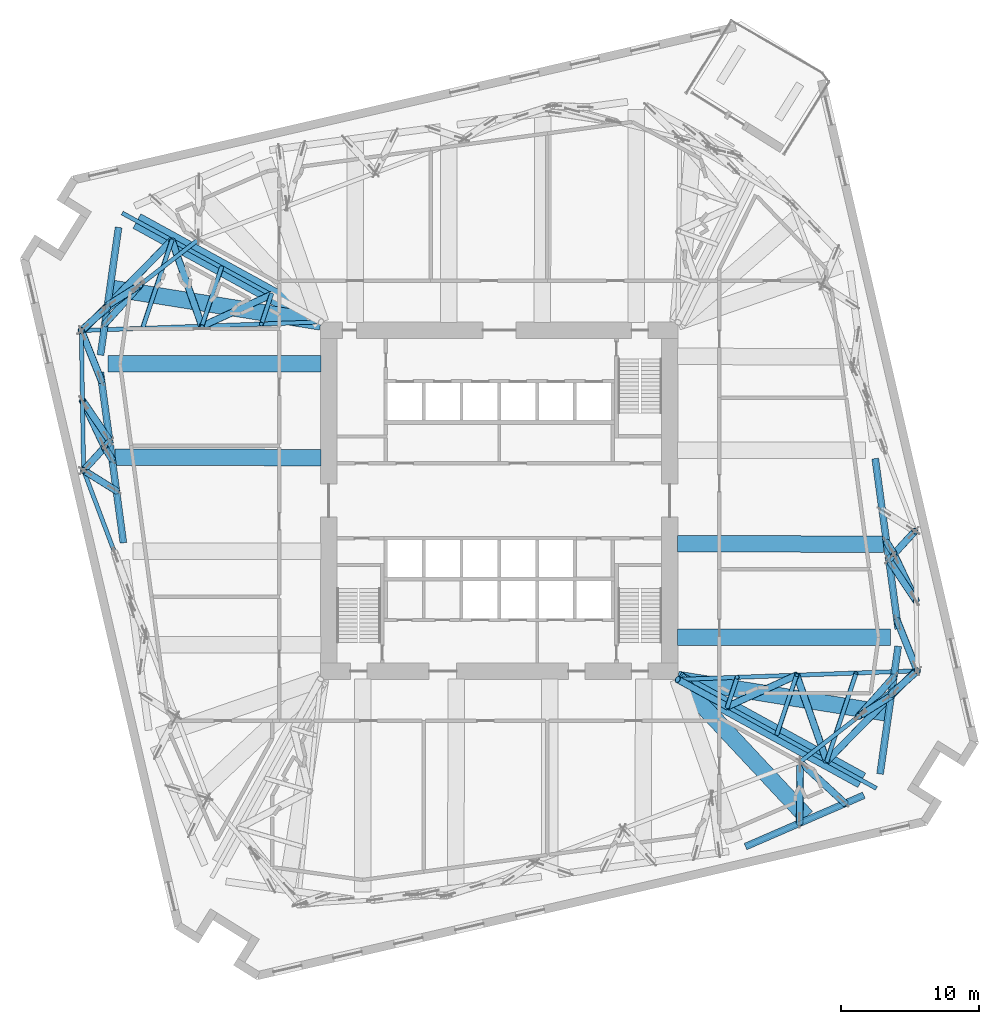
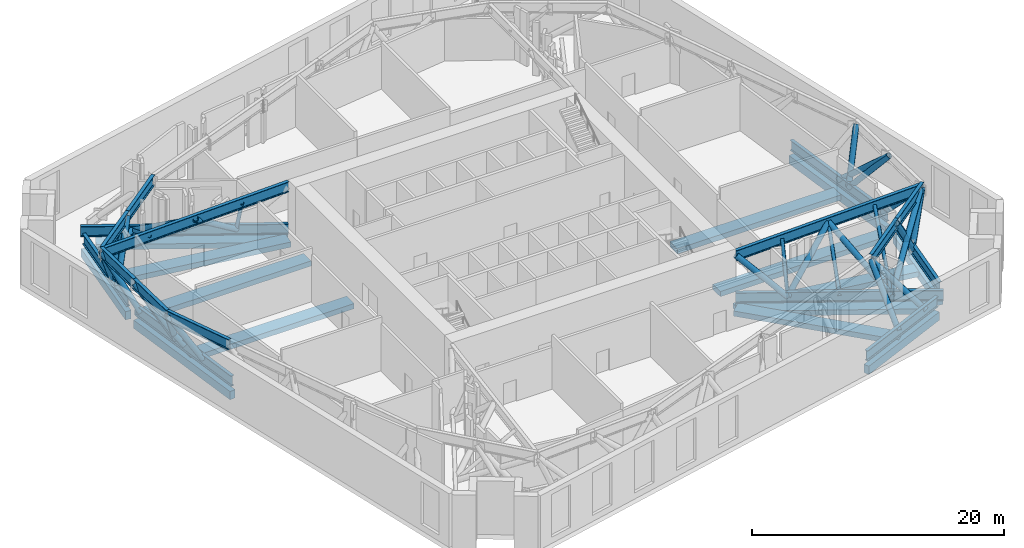
# One storey, part 2 of 17: 32 members, 30 beams.
"""IFC4 building model written with IfcOpenShell, lengths in metres."""

from ifc_helpers import new_model, si_unit, direction, frame, origin, origin_2d, place, context, subcontext, project, spatial, rectangle, hollow_circle, i_section, extrude, material, material_profile, profile_set, type_object, element, save


model = new_model("IFC4")

# Units and contexts
model_context = context("Model", 3, precision=1e-05, world=origin(), true_north=direction((0.0, 1.0)))
body_context = subcontext(model_context, "Body", "Model", "MODEL_VIEW")
ifc_project = project(units=[si_unit("LENGTHUNIT", "METRE"), si_unit("AREAUNIT", "SQUARE_METRE"), si_unit("VOLUMEUNIT", "CUBIC_METRE"), si_unit("PLANEANGLEUNIT", "RADIAN"), si_unit("MASSUNIT", "GRAM", prefix="KILO")], contexts=[model_context])

# Site, building, storey
site_placement = place(None, origin())
site = spatial("IfcSite", under=ifc_project, at=site_placement, CompositionType="ELEMENT")
building_placement = place(site_placement, origin())
building = spatial("IfcBuilding", under=site, at=building_placement, Name="Dilmun Exchange Tower", CompositionType="ELEMENT")
storey_placement = place(building_placement, frame((0.0, 0.0, 76.5)))
storey = spatial("IfcBuildingStorey", under=building, at=storey_placement, Name="L17", CompositionType="ELEMENT", Elevation=76.5)

# Beams
ifc_material_1 = material(Name="Concrete C40/50", Category="concrete")
ifc_material_profile_1 = material_profile(ifc_material_1, rectangle(XDim=1.199951171875, YDim=0.5, at=origin_2d()), Name="1200 x 500")
ifc_profile_set_1 = profile_set([ifc_material_profile_1], Name="Concrete C40/50")
beam_type_1 = type_object("IfcBeamType", Name="RC band beam 1200 x 500 C40/50", PredefinedType="BEAM", material=ifc_profile_set_1)
beam_1_placement = place(storey_placement, frame((-26.355712890625, 20.333740234375, -0.699951171875), z_axis=(0.876547324806, -0.481315683699, 0.0), x_axis=(0.481315683699, 0.876547324806, 0.0)))
element("IfcBeam", 1, at=beam_1_placement, inside=storey, type_object=beam_type_1, Name="Band beam 5", PredefinedType="BEAM", context=body_context, shape_type="SweptSolid", body=[
    extrude(rectangle(XDim=1.199951171875, YDim=0.5, at=origin_2d()), origin(), (0.0, 0.0, 1.0), 15.263671875),
])
beam_2_placement = place(storey_placement, frame((-28.464111328125, 9.945068359375, -0.699951171875), z_axis=(1.0, 0.0, 0.0), x_axis=(0.0, 1.0, 0.0)))
element("IfcBeam", 2, at=beam_2_placement, inside=storey, type_object=beam_type_1, Name="Band beam 6", PredefinedType="BEAM", context=body_context, shape_type="SweptSolid", body=[
    extrude(rectangle(XDim=1.199951171875, YDim=0.5, at=origin_2d()), origin(), (0.0, 0.0, 1.0), 15.4912109375),
])
beam_3_placement = place(storey_placement, frame((26.355712890625, -20.333740234375, -0.699951171875), z_axis=(-0.876547324806, 0.481315683699, 0.0), x_axis=(-0.481315683699, -0.876547324806, 0.0)))
element("IfcBeam", 3, at=beam_3_placement, inside=storey, type_object=beam_type_1, Name="Band beam 13", PredefinedType="BEAM", context=body_context, shape_type="SweptSolid", body=[
    extrude(rectangle(XDim=1.199951171875, YDim=0.5, at=origin_2d()), origin(), (0.0, 0.0, 1.0), 15.263671875),
])
beam_4_placement = place(storey_placement, frame((28.464111328125, -9.945068359375, -0.699951171875), z_axis=(-1.0, 0.0, 0.0), x_axis=(0.0, -1.0, 0.0)))
element("IfcBeam", 4, at=beam_4_placement, inside=storey, type_object=beam_type_1, Name="Band beam 14", PredefinedType="BEAM", context=body_context, shape_type="SweptSolid", body=[
    extrude(rectangle(XDim=1.199951171875, YDim=0.5, at=origin_2d()), origin(), (0.0, 0.0, 1.0), 15.4912109375),
])
beam_5_placement = place(storey_placement, frame((-28.09130859375, 15.4306640625, -0.699951171875), z_axis=(0.98727513595, -0.159021400868, 0.0), x_axis=(0.159021400868, 0.98727513595, 0.0)))
element("IfcBeam", 5, at=beam_5_placement, inside=storey, type_object=beam_type_1, Name="Band beam 21", PredefinedType="BEAM", context=body_context, shape_type="SweptSolid", body=[
    extrude(rectangle(XDim=1.199951171875, YDim=0.5, at=origin_2d()), origin(), (0.0, 0.0, 1.0), 15.312744140625),
])
beam_6_placement = place(storey_placement, frame((-27.951904296875, 3.161865234375, -0.699951171875), z_axis=(0.999998023018, -0.001988456479, 0.0), x_axis=(0.001988456479, 0.999998023018, 0.0)))
element("IfcBeam", 6, at=beam_6_placement, inside=storey, type_object=beam_type_1, Name="Band beam 22", PredefinedType="BEAM", context=body_context, shape_type="SweptSolid", body=[
    extrude(rectangle(XDim=1.199951171875, YDim=0.5, at=origin_2d()), origin(), (0.0, 0.0, 1.0), 14.97900390625),
])
beam_7_placement = place(storey_placement, frame((22.330322265625, -22.990966796875, -0.699951171875), z_axis=(-0.682523984798, 0.730863195253, 0.0), x_axis=(-0.730863195253, -0.682523984798, 0.0)))
element("IfcBeam", 7, at=beam_7_placement, inside=storey, type_object=beam_type_1, Name="Band beam 28", PredefinedType="BEAM", context=body_context, shape_type="SweptSolid", body=[
    extrude(rectangle(XDim=1.199951171875, YDim=0.5, at=origin_2d()), origin(), (0.0, 0.0, 1.0), 13.697265625),
])
beam_8_placement = place(storey_placement, frame((28.09130859375, -15.4306640625, -0.699951171875), z_axis=(-0.98727513595, 0.159021400868, 0.0), x_axis=(-0.159021400868, -0.98727513595, 0.0)))
element("IfcBeam", 8, at=beam_8_placement, inside=storey, type_object=beam_type_1, Name="Band beam 29", PredefinedType="BEAM", context=body_context, shape_type="SweptSolid", body=[
    extrude(rectangle(XDim=1.199951171875, YDim=0.5, at=origin_2d()), origin(), (0.0, 0.0, 1.0), 15.312744140625),
])
beam_9_placement = place(storey_placement, frame((27.951904296875, -3.161865234375, -0.699951171875), z_axis=(-0.999998023018, 0.001988456479, 0.0), x_axis=(-0.001988456479, -0.999998023018, 0.0)))
element("IfcBeam", 9, at=beam_9_placement, inside=storey, type_object=beam_type_1, Name="Band beam 30", PredefinedType="BEAM", context=body_context, shape_type="SweptSolid", body=[
    extrude(rectangle(XDim=1.199951171875, YDim=0.5, at=origin_2d()), origin(), (0.0, 0.0, 1.0), 14.97900390625),
])
ifc_material_profile_2 = material_profile(ifc_material_1, rectangle(XDim=0.5, YDim=0.800048828125, at=origin_2d()), Name="500 x 800")
ifc_profile_set_2 = profile_set([ifc_material_profile_2], Name="Concrete C40/50")
beam_type_2 = type_object("IfcBeamType", Name="RC ring beam 500 x 800 C40/50", PredefinedType="SPANDREL", material=ifc_profile_set_2)
beam_10_placement = place(storey_placement, frame((-27.6875, 19.8740234375, -0.85009765625), z_axis=(-0.140164060375, -0.990128292788, 0.0), x_axis=(0.990128292788, -0.140164060375, 0.0)))
element("IfcBeam", 10, at=beam_10_placement, inside=storey, type_object=beam_type_2, Name="Ring beam 5", PredefinedType="SPANDREL", context=body_context, shape_type="SweptSolid", body=[
    extrude(rectangle(XDim=0.5, YDim=0.800048828125, at=origin_2d()), origin(), (0.0, 0.0, 1.0), 9.379638671875),
])
beam_11_placement = place(storey_placement, frame((-29.009521484375, 9.32763671875, -0.85009765625), z_axis=(0.133806990248, -0.991007411355, 0.0), x_axis=(0.991007411355, 0.133806990248, 0.0)))
element("IfcBeam", 11, at=beam_11_placement, inside=storey, type_object=beam_type_2, Name="Ring beam 6", PredefinedType="SPANDREL", context=body_context, shape_type="SweptSolid", body=[
    extrude(rectangle(XDim=0.5, YDim=0.800048828125, at=origin_2d()), origin(), (0.0, 0.0, 1.0), 12.50390625),
])
beam_12_placement = place(storey_placement, frame((17.90185546875, -25.154052734375, -0.85009765625), z_axis=(0.917467286901, 0.397811233459, 0.0), x_axis=(-0.397811233459, 0.917467286901, 0.0)))
element("IfcBeam", 12, at=beam_12_placement, inside=storey, type_object=beam_type_2, Name="Ring beam 12", PredefinedType="SPANDREL", context=body_context, shape_type="SweptSolid", body=[
    extrude(rectangle(XDim=0.5, YDim=0.800048828125, at=origin_2d()), origin(), (0.0, 0.0, 1.0), 9.37939453125),
])
beam_13_placement = place(storey_placement, frame((27.6875, -19.8740234375, -0.85009765625), z_axis=(0.140164060375, 0.990128292788, 0.0), x_axis=(-0.990128292788, 0.140164060375, 0.0)))
element("IfcBeam", 13, at=beam_13_placement, inside=storey, type_object=beam_type_2, Name="Ring beam 13", PredefinedType="SPANDREL", context=body_context, shape_type="SweptSolid", body=[
    extrude(rectangle(XDim=0.5, YDim=0.800048828125, at=origin_2d()), origin(), (0.0, 0.0, 1.0), 9.379638671875),
])
beam_14_placement = place(storey_placement, frame((29.009521484375, -9.32763671875, -0.85009765625), z_axis=(-0.133806990248, 0.991007411355, 0.0), x_axis=(-0.991007411355, -0.133806990248, 0.0)))
element("IfcBeam", 14, at=beam_14_placement, inside=storey, type_object=beam_type_2, Name="Ring beam 14", PredefinedType="SPANDREL", context=body_context, shape_type="SweptSolid", body=[
    extrude(rectangle(XDim=0.5, YDim=0.800048828125, at=origin_2d()), origin(), (0.0, 0.0, 1.0), 12.50390625),
])
ifc_material_2 = material(Name="Steel S355", Category="steel")
ifc_material_profile_3 = material_profile(ifc_material_2, i_section(OverallWidth=0.300048828125, OverallDepth=1.0, WebThickness=0.01904296875, FlangeThickness=0.035888671875, FilletRadius=0.030029296875, at=origin_2d()), Name="HEB 1000")
ifc_profile_set_3 = profile_set([ifc_material_profile_3], Name="Steel S355")
beam_type_3 = type_object("IfcBeamType", Name="belt bottom chord HEB 1000", PredefinedType="BEAM", material=ifc_profile_set_3)
beam_15_placement = place(storey_placement, frame((-27.6875, 19.8740234375, 0.5), z_axis=(-0.140164060375, -0.990128292788, 0.0), x_axis=(0.990128292788, -0.140164060375, 0.0)))
element("IfcBeam", 15, at=beam_15_placement, inside=storey, type_object=beam_type_3, Name="Belt bottom chord 5", PredefinedType="BEAM", context=body_context, shape_type="SweptSolid", body=[
    extrude(i_section(OverallWidth=0.300048828125, OverallDepth=1.0, WebThickness=0.01904296875, FlangeThickness=0.035888671875, FilletRadius=0.030029296875, at=origin_2d()), origin(), (0.0, 0.0, 1.0), 9.379638671875),
])
beam_16_placement = place(storey_placement, frame((-29.009521484375, 9.32763671875, 0.5), z_axis=(0.133806990248, -0.991007411355, 0.0), x_axis=(0.991007411355, 0.133806990248, 0.0)))
element("IfcBeam", 16, at=beam_16_placement, inside=storey, type_object=beam_type_3, Name="Belt bottom chord 6", PredefinedType="BEAM", context=body_context, shape_type="SweptSolid", body=[
    extrude(i_section(OverallWidth=0.300048828125, OverallDepth=1.0, WebThickness=0.01904296875, FlangeThickness=0.035888671875, FilletRadius=0.030029296875, at=origin_2d()), origin(), (0.0, 0.0, 1.0), 12.50390625),
])
beam_17_placement = place(storey_placement, frame((17.90185546875, -25.154052734375, 0.5), z_axis=(0.917467286901, 0.397811233459, 0.0), x_axis=(-0.397811233459, 0.917467286901, 0.0)))
element("IfcBeam", 17, at=beam_17_placement, inside=storey, type_object=beam_type_3, Name="Belt bottom chord 12", PredefinedType="BEAM", context=body_context, shape_type="SweptSolid", body=[
    extrude(i_section(OverallWidth=0.300048828125, OverallDepth=1.0, WebThickness=0.01904296875, FlangeThickness=0.035888671875, FilletRadius=0.030029296875, at=origin_2d()), origin(), (0.0, 0.0, 1.0), 9.37939453125),
])
beam_18_placement = place(storey_placement, frame((27.6875, -19.8740234375, 0.5), z_axis=(0.140164060375, 0.990128292788, 0.0), x_axis=(-0.990128292788, 0.140164060375, 0.0)))
element("IfcBeam", 18, at=beam_18_placement, inside=storey, type_object=beam_type_3, Name="Belt bottom chord 13", PredefinedType="BEAM", context=body_context, shape_type="SweptSolid", body=[
    extrude(i_section(OverallWidth=0.300048828125, OverallDepth=1.0, WebThickness=0.01904296875, FlangeThickness=0.035888671875, FilletRadius=0.030029296875, at=origin_2d()), origin(), (0.0, 0.0, 1.0), 9.379638671875),
])
beam_19_placement = place(storey_placement, frame((29.009521484375, -9.32763671875, 0.5), z_axis=(-0.133806990248, 0.991007411355, 0.0), x_axis=(-0.991007411355, -0.133806990248, 0.0)))
element("IfcBeam", 19, at=beam_19_placement, inside=storey, type_object=beam_type_3, Name="Belt bottom chord 14", PredefinedType="BEAM", context=body_context, shape_type="SweptSolid", body=[
    extrude(i_section(OverallWidth=0.300048828125, OverallDepth=1.0, WebThickness=0.01904296875, FlangeThickness=0.035888671875, FilletRadius=0.030029296875, at=origin_2d()), origin(), (0.0, 0.0, 1.0), 12.50390625),
])
ifc_material_profile_4 = material_profile(ifc_material_2, i_section(OverallWidth=0.300048828125, OverallDepth=1.0, WebThickness=0.01904296875, FlangeThickness=0.035888671875, FilletRadius=0.030029296875, at=origin_2d()), Name="HEB 1000")
ifc_profile_set_4 = profile_set([ifc_material_profile_4], Name="Steel S355")
beam_type_4 = type_object("IfcBeamType", Name="outrigger chord HEB 1000", PredefinedType="BEAM", material=ifc_profile_set_4)
beam_20_placement = place(storey_placement, frame((-12.976318359375, 12.987060546875, 0.5), z_axis=(-0.876545343034, 0.481319292784, 0.0), x_axis=(-0.481319292784, -0.876545343034, 0.0)))
element("IfcBeam", 20, at=beam_20_placement, inside=storey, type_object=beam_type_4, Name="Outrigger bottom chord 2", PredefinedType="BEAM", context=body_context, shape_type="SweptSolid", body=[
    extrude(i_section(OverallWidth=0.300048828125, OverallDepth=1.0, WebThickness=0.01904296875, FlangeThickness=0.035888671875, FilletRadius=0.030029296875, at=origin_2d()), origin(), (0.0, 0.0, 1.0), 16.4814453125),
])
beam_21_placement = place(storey_placement, frame((-12.972900390625, 13.0009765625, 4.580078125), z_axis=(-0.99934681661, -0.036137793676, 0.0), x_axis=(0.036137793676, -0.99934681661, 0.0)))
element("IfcBeam", 21, at=beam_21_placement, inside=storey, type_object=beam_type_4, Name="Outrigger top chord 2", PredefinedType="BEAM", context=body_context, shape_type="SweptSolid", body=[
    extrude(i_section(OverallWidth=0.300048828125, OverallDepth=1.0, WebThickness=0.01904296875, FlangeThickness=0.035888671875, FilletRadius=0.030029296875, at=origin_2d()), origin(), (0.0, 0.0, 1.0), 17.308349609375),
])
beam_22_placement = place(storey_placement, frame((12.976318359375, -12.987060546875, 0.5), z_axis=(0.876545343034, -0.481319292784, 0.0), x_axis=(0.481319292784, 0.876545343034, 0.0)))
element("IfcBeam", 22, at=beam_22_placement, inside=storey, type_object=beam_type_4, Name="Outrigger bottom chord 4", PredefinedType="BEAM", context=body_context, shape_type="SweptSolid", body=[
    extrude(i_section(OverallWidth=0.300048828125, OverallDepth=1.0, WebThickness=0.01904296875, FlangeThickness=0.035888671875, FilletRadius=0.030029296875, at=origin_2d()), origin(), (0.0, 0.0, 1.0), 16.4814453125),
])
beam_23_placement = place(storey_placement, frame((12.972900390625, -13.0009765625, 4.580078125), z_axis=(0.99934681661, 0.036137793676, 0.0), x_axis=(-0.036137793676, 0.99934681661, 0.0)))
element("IfcBeam", 23, at=beam_23_placement, inside=storey, type_object=beam_type_4, Name="Outrigger top chord 4", PredefinedType="BEAM", context=body_context, shape_type="SweptSolid", body=[
    extrude(i_section(OverallWidth=0.300048828125, OverallDepth=1.0, WebThickness=0.01904296875, FlangeThickness=0.035888671875, FilletRadius=0.030029296875, at=origin_2d()), origin(), (0.0, 0.0, 1.0), 17.308349609375),
])

# Members
ifc_material_profile_5 = material_profile(ifc_material_2, hollow_circle(Radius=0.161865234375, WallThickness=0.01611328125, at=origin_2d()), Name="CHS 323.9x16")
ifc_profile_set_5 = profile_set([ifc_material_profile_5], Name="Steel S355")
member_type_1 = type_object("IfcMemberType", Name="outrigger post CHS 323.9x16", PredefinedType="POST", material=ifc_profile_set_5)
member_1_placement = place(storey_placement, frame((-17.29736328125, 12.844482421875, 4.580078125), z_axis=(0.152410522401, 0.456654651941, -0.876491620908), x_axis=(-0.948563393049, 0.316587253957, 0.0)))
element("IfcMember", 24, at=member_1_placement, inside=storey, type_object=member_type_1, Name="Outrigger post 2.1", PredefinedType="POST", context=body_context, shape_type="SweptSolid", body=[
    extrude(hollow_circle(Radius=0.161865234375, WallThickness=0.01611328125, at=origin_2d()), origin(), (0.0, 0.0, 1.0), 4.655029296875),
])
member_2_placement = place(storey_placement, frame((-21.62158203125, 12.688232421875, 4.580078125), z_axis=(0.234197808313, 0.702512999867, -0.672031897755), x_axis=(-0.948672436902, 0.316260347597, 0.0)))
element("IfcMember", 25, at=member_2_placement, inside=storey, type_object=member_type_1, Name="Outrigger post 2.2", PredefinedType="POST", context=body_context, shape_type="SweptSolid", body=[
    extrude(hollow_circle(Radius=0.161865234375, WallThickness=0.01611328125, at=origin_2d()), origin(), (0.0, 0.0, 1.0), 6.0712890625),
])
member_3_placement = place(storey_placement, frame((-25.94580078125, 12.531982421875, 4.580078125), z_axis=(0.270573166291, 0.811936155493, -0.517252202592), x_axis=(-0.948708610302, 0.316151819131, 0.0)))
element("IfcMember", 26, at=member_3_placement, inside=storey, type_object=member_type_1, Name="Outrigger post 2.3", PredefinedType="POST", context=body_context, shape_type="SweptSolid", body=[
    extrude(hollow_circle(Radius=0.161865234375, WallThickness=0.01611328125, at=origin_2d()), origin(), (0.0, 0.0, 1.0), 7.887939453125),
])
member_4_placement = place(storey_placement, frame((17.29736328125, -12.844482421875, 4.580078125), z_axis=(-0.152410522401, -0.456654651941, -0.876491620908), x_axis=(0.948563393049, -0.316587253957, 0.0)))
element("IfcMember", 27, at=member_4_placement, inside=storey, type_object=member_type_1, Name="Outrigger post 4.1", PredefinedType="POST", context=body_context, shape_type="SweptSolid", body=[
    extrude(hollow_circle(Radius=0.161865234375, WallThickness=0.01611328125, at=origin_2d()), origin(), (0.0, 0.0, 1.0), 4.655029296875),
])
member_5_placement = place(storey_placement, frame((21.62158203125, -12.688232421875, 4.580078125), z_axis=(-0.234197808313, -0.702512999867, -0.672031897755), x_axis=(0.948672436902, -0.316260347597, 0.0)))
element("IfcMember", 28, at=member_5_placement, inside=storey, type_object=member_type_1, Name="Outrigger post 4.2", PredefinedType="POST", context=body_context, shape_type="SweptSolid", body=[
    extrude(hollow_circle(Radius=0.161865234375, WallThickness=0.01611328125, at=origin_2d()), origin(), (0.0, 0.0, 1.0), 6.0712890625),
])
member_6_placement = place(storey_placement, frame((25.94580078125, -12.531982421875, 4.580078125), z_axis=(-0.270573166291, -0.811936155493, -0.517252202592), x_axis=(0.948708610302, -0.316151819131, 0.0)))
element("IfcMember", 29, at=member_6_placement, inside=storey, type_object=member_type_1, Name="Outrigger post 4.3", PredefinedType="POST", context=body_context, shape_type="SweptSolid", body=[
    extrude(hollow_circle(Radius=0.161865234375, WallThickness=0.01611328125, at=origin_2d()), origin(), (0.0, 0.0, 1.0), 7.887939453125),
])

# Beams
ifc_material_profile_6 = material_profile(ifc_material_2, i_section(OverallWidth=0.302001953125, OverallDepth=1.008056640625, WebThickness=0.02099609375, FlangeThickness=0.0400390625, FilletRadius=0.030029296875, at=origin_2d()), Name="HEM 1000")
ifc_profile_set_6 = profile_set([ifc_material_profile_6], Name="Steel S355")
beam_type_5 = type_object("IfcBeamType", Name="transfer chord HEM 1000", PredefinedType="BEAM", material=ifc_profile_set_6)
for number, where, z_axis, x_axis, name in (
    (30, (-21.873046875, 18.99609375, 4.676025390625), (-0.789461821821, -0.613799667553, 0.0), (0.613799667553, -0.789461821821, 0.0), "Transfer chord 7"),
    (31, (-26.133544921875, 15.68359375, 4.676025390625), (-0.789461821821, -0.613799667553, 0.0), (0.613799667553, -0.789461821821, 0.0), "Transfer chord 8"),
):
    element("IfcBeam", number, at=place(storey_placement, frame(where, z_axis=z_axis, x_axis=x_axis)), inside=storey, type_object=beam_type_5, Name=name, PredefinedType="BEAM", context=body_context, shape_type="SweptSolid", body=[
        extrude(i_section(OverallWidth=0.302001953125, OverallDepth=1.008056640625, WebThickness=0.02099609375, FlangeThickness=0.0400390625, FilletRadius=0.030029296875, at=origin_2d()), origin(), (0.0, 0.0, 1.0), 5.396728515625),
    ])
for number, where, z_axis, x_axis, name in (
    (32, (-30.39404296875, 12.37109375, 4.676025390625), (0.016047909122, -0.999871224015, 0.0), (0.999871224015, 0.016047909122, 0.0), "Transfer chord 9"),
    (33, (-30.3125, 7.29052734375, 4.676025390625), (0.016047909122, -0.999871224015, 0.0), (0.999871224015, 0.016047909122, 0.0), "Transfer chord 10"),
):
    element("IfcBeam", number, at=place(storey_placement, frame(where, z_axis=z_axis, x_axis=x_axis)), inside=storey, type_object=beam_type_5, Name=name, PredefinedType="BEAM", context=body_context, shape_type="SweptSolid", body=[
        extrude(i_section(OverallWidth=0.302001953125, OverallDepth=1.008056640625, WebThickness=0.02099609375, FlangeThickness=0.0400390625, FilletRadius=0.030029296875, at=origin_2d()), origin(), (0.0, 0.0, 1.0), 5.081298828125),
    ])
beam_24_placement = place(storey_placement, frame((-30.23095703125, 2.2099609375, 4.676025390625), z_axis=(0.353346942862, -0.935492350568, 0.0), x_axis=(0.935492350568, 0.353346942862, 0.0)))
element("IfcBeam", 34, at=beam_24_placement, inside=storey, type_object=beam_type_5, Name="Transfer chord 11", PredefinedType="BEAM", context=body_context, shape_type="SweptSolid", body=[
    extrude(i_section(OverallWidth=0.302001953125, OverallDepth=1.008056640625, WebThickness=0.02099609375, FlangeThickness=0.0400390625, FilletRadius=0.030029296875, at=origin_2d()), origin(), (0.0, 0.0, 1.0), 6.37451171875),
])
for number, where, z_axis, x_axis, name in (
    (35, (21.873046875, -18.99609375, 4.676025390625), (0.789461821821, 0.613799667553, 0.0), (-0.613799667553, 0.789461821821, 0.0), "Transfer chord 23"),
    (36, (26.133544921875, -15.68359375, 4.676025390625), (0.789461821821, 0.613799667553, 0.0), (-0.613799667553, 0.789461821821, 0.0), "Transfer chord 24"),
):
    element("IfcBeam", number, at=place(storey_placement, frame(where, z_axis=z_axis, x_axis=x_axis)), inside=storey, type_object=beam_type_5, Name=name, PredefinedType="BEAM", context=body_context, shape_type="SweptSolid", body=[
        extrude(i_section(OverallWidth=0.302001953125, OverallDepth=1.008056640625, WebThickness=0.02099609375, FlangeThickness=0.0400390625, FilletRadius=0.030029296875, at=origin_2d()), origin(), (0.0, 0.0, 1.0), 5.396728515625),
    ])

# Members
ifc_material_profile_7 = material_profile(ifc_material_2, hollow_circle(Radius=0.25390625, WallThickness=0.030029296875, at=origin_2d()), Name="CHS 508x30")
ifc_profile_set_7 = profile_set([ifc_material_profile_7], Name="Steel S355")
member_type_2 = type_object("IfcMemberType", Name="truss diagonal CHS 508x30", PredefinedType="BRACE", material=ifc_profile_set_7)
member_7_placement = place(storey_placement, frame((-26.133544921875, 15.68359375, 4.676025390625), z_axis=(-0.450977137023, -0.499620404439, -0.739593857026), x_axis=(0.742319076468, -0.670046557123, 0.0)))
element("IfcMember", 37, at=member_7_placement, inside=storey, type_object=member_type_2, Name="Truss diagonal 15", PredefinedType="BRACE", context=body_context, shape_type="SweptSolid", body=[
    extrude(hollow_circle(Radius=0.25390625, WallThickness=0.030029296875, at=origin_2d()), origin(), (0.0, 0.0, 1.0), 5.646484375),
])
member_8_placement = place(storey_placement, frame((-26.133544921875, 15.68359375, 4.676025390625), z_axis=(-0.469571813996, -0.295701359823, -0.831903249963), x_axis=(0.532871381633, -0.8461962483, 0.0)))
element("IfcMember", 38, at=member_8_placement, inside=storey, type_object=member_type_2, Name="Truss diagonal 16", PredefinedType="BRACE", context=body_context, shape_type="SweptSolid", body=[
    extrude(hollow_circle(Radius=0.25390625, WallThickness=0.030029296875, at=origin_2d()), origin(), (0.0, 0.0, 1.0), 5.019775390625),
])
member_9_placement = place(storey_placement, frame((-30.39404296875, 12.37109375, 4.676025390625), z_axis=(0.255492081502, -0.63771061447, -0.72666977953), x_axis=(0.928271839969, 0.371902394615, 0.0)))
element("IfcMember", 39, at=member_9_placement, inside=storey, type_object=member_type_2, Name="Truss diagonal 17", PredefinedType="BRACE", context=body_context, shape_type="SweptSolid", body=[
    extrude(hollow_circle(Radius=0.25390625, WallThickness=0.030029296875, at=origin_2d()), origin(), (0.0, 0.0, 1.0), 5.746826171875),
])
member_10_placement = place(storey_placement, frame((-30.39404296875, 12.37109375, 4.676025390625), z_axis=(0.385741098271, 0.348280807749, -0.854344359177), x_axis=(-0.670147952657, 0.74222754028, 0.0)))
element("IfcMember", 40, at=member_10_placement, inside=storey, type_object=member_type_2, Name="Truss diagonal 18", PredefinedType="BRACE", context=body_context, shape_type="SweptSolid", body=[
    extrude(hollow_circle(Radius=0.25390625, WallThickness=0.030029296875, at=origin_2d()), origin(), (0.0, 0.0, 1.0), 4.887939453125),
])
member_11_placement = place(storey_placement, frame((-30.3125, 7.29052734375, 4.676025390625), z_axis=(0.361054427375, -0.533442935862, -0.764904134288), x_axis=(0.82814219321, 0.560518070918, 0.0)))
element("IfcMember", 41, at=member_11_placement, inside=storey, type_object=member_type_2, Name="Truss diagonal 19", PredefinedType="BRACE", context=body_context, shape_type="SweptSolid", body=[
    extrude(hollow_circle(Radius=0.25390625, WallThickness=0.030029296875, at=origin_2d()), origin(), (0.0, 0.0, 1.0), 5.45947265625),
])
member_12_placement = place(storey_placement, frame((-30.3125, 7.29052734375, 4.676025390625), z_axis=(0.318971286862, -0.675536826288, -0.664761095798), x_axis=(0.904265296264, 0.426971045825, 0.0)))
element("IfcMember", 42, at=member_12_placement, inside=storey, type_object=member_type_2, Name="Truss diagonal 20", PredefinedType="BRACE", context=body_context, shape_type="SweptSolid", body=[
    extrude(hollow_circle(Radius=0.25390625, WallThickness=0.030029296875, at=origin_2d()), origin(), (0.0, 0.0, 1.0), 5.052490234375),
])
member_13_placement = place(storey_placement, frame((-28.700927734375, 3.87744140625, 1.3173828125), z_axis=(0.413143825292, -0.669584280883, -0.617226919713), x_axis=(0.851038240721, 0.52510371626, 0.0)))
element("IfcMember", 43, at=member_13_placement, inside=storey, type_object=member_type_2, Name="Truss diagonal 20B", PredefinedType="BRACE", context=body_context, shape_type="SweptSolid", body=[
    extrude(hollow_circle(Radius=0.25390625, WallThickness=0.030029296875, at=origin_2d()), origin(), (0.0, 0.0, 1.0), 1.32421875),
])
member_14_placement = place(storey_placement, frame((-30.23095703125, 2.2099609375, 4.676025390625), z_axis=(0.473485334648, -0.296764666535, -0.829302339663), x_axis=(0.531074761129, 0.84732496605, 0.0)))
element("IfcMember", 44, at=member_14_placement, inside=storey, type_object=member_type_2, Name="Truss diagonal 21", PredefinedType="BRACE", context=body_context, shape_type="SweptSolid", body=[
    extrude(hollow_circle(Radius=0.25390625, WallThickness=0.030029296875, at=origin_2d()), origin(), (0.0, 0.0, 1.0), 5.03564453125),
])
member_15_placement = place(storey_placement, frame((-30.23095703125, 2.2099609375, 4.676025390625), z_axis=(0.377785179375, 0.411723786352, -0.829314103339), x_axis=(-0.736822701058, 0.676086020566, 0.0)))
element("IfcMember", 45, at=member_15_placement, inside=storey, type_object=member_type_2, Name="Truss diagonal 22", PredefinedType="BRACE", context=body_context, shape_type="SweptSolid", body=[
    extrude(hollow_circle(Radius=0.25390625, WallThickness=0.030029296875, at=origin_2d()), origin(), (0.0, 0.0, 1.0), 5.035400390625),
])
for number, where, z_axis, x_axis, name in (
    (46, (21.873046875, -18.99609375, 4.676025390625), (0.535903075217, -0.494538206616, -0.684280539085), (0.678175284061, 0.734900186481, 0.0), "Truss diagonal 45"),
    (47, (21.873046875, -18.99609375, 4.676025390625), (-0.005280598081, -0.729202589495, -0.684277501279), (0.9999737806, -0.007241416449, 0.0), "Truss diagonal 46"),
):
    element("IfcMember", number, at=place(storey_placement, frame(where, z_axis=z_axis, x_axis=x_axis)), inside=storey, type_object=member_type_2, Name=name, PredefinedType="BRACE", context=body_context, shape_type="SweptSolid", body=[
        extrude(hollow_circle(Radius=0.25390625, WallThickness=0.030029296875, at=origin_2d()), origin(), (0.0, 0.0, 1.0), 6.102783203125),
    ])
member_16_placement = place(storey_placement, frame((26.133544921875, -15.68359375, 4.676025390625), z_axis=(0.449991096838, 0.505879655476, -0.735930558506), x_axis=(-0.747174370731, 0.664628061191, 0.0)))
element("IfcMember", 48, at=member_16_placement, inside=storey, type_object=member_type_2, Name="Truss diagonal 47", PredefinedType="BRACE", context=body_context, shape_type="SweptSolid", body=[
    extrude(hollow_circle(Radius=0.25390625, WallThickness=0.030029296875, at=origin_2d()), origin(), (0.0, 0.0, 1.0), 5.674560546875),
])
member_17_placement = place(storey_placement, frame((26.133544921875, -15.68359375, 4.676025390625), z_axis=(0.469571813996, 0.295701359823, -0.831903249963), x_axis=(-0.532871381633, 0.8461962483, 0.0)))
element("IfcMember", 49, at=member_17_placement, inside=storey, type_object=member_type_2, Name="Truss diagonal 48", PredefinedType="BRACE", context=body_context, shape_type="SweptSolid", body=[
    extrude(hollow_circle(Radius=0.25390625, WallThickness=0.030029296875, at=origin_2d()), origin(), (0.0, 0.0, 1.0), 5.019775390625),
])
member_18_placement = place(storey_placement, frame((30.39404296875, -12.37109375, 4.676025390625), z_axis=(-0.255492081502, 0.63771061447, -0.72666977953), x_axis=(-0.928271839969, -0.371902394615, 0.0)))
element("IfcMember", 50, at=member_18_placement, inside=storey, type_object=member_type_2, Name="Truss diagonal 49", PredefinedType="BRACE", context=body_context, shape_type="SweptSolid", body=[
    extrude(hollow_circle(Radius=0.25390625, WallThickness=0.030029296875, at=origin_2d()), origin(), (0.0, 0.0, 1.0), 5.746826171875),
])
member_19_placement = place(storey_placement, frame((30.39404296875, -12.37109375, 4.676025390625), z_axis=(-0.385741098271, -0.348280807749, -0.854344359177), x_axis=(0.670147952657, -0.74222754028, 0.0)))
element("IfcMember", 51, at=member_19_placement, inside=storey, type_object=member_type_2, Name="Truss diagonal 50", PredefinedType="BRACE", context=body_context, shape_type="SweptSolid", body=[
    extrude(hollow_circle(Radius=0.25390625, WallThickness=0.030029296875, at=origin_2d()), origin(), (0.0, 0.0, 1.0), 4.887939453125),
])
member_20_placement = place(storey_placement, frame((30.3125, -7.29052734375, 4.676025390625), z_axis=(-0.360349705415, 0.53965715666, -0.760866770909), x_axis=(-0.831638770476, -0.555316986451, 0.0)))
element("IfcMember", 52, at=member_20_placement, inside=storey, type_object=member_type_2, Name="Truss diagonal 51", PredefinedType="BRACE", context=body_context, shape_type="SweptSolid", body=[
    extrude(hollow_circle(Radius=0.25390625, WallThickness=0.030029296875, at=origin_2d()), origin(), (0.0, 0.0, 1.0), 5.488525390625),
])
member_21_placement = place(storey_placement, frame((30.3125, -7.29052734375, 4.676025390625), z_axis=(-0.318971286862, 0.675536826288, -0.664761095798), x_axis=(-0.904265296264, -0.426971045825, 0.0)))
element("IfcMember", 53, at=member_21_placement, inside=storey, type_object=member_type_2, Name="Truss diagonal 52", PredefinedType="BRACE", context=body_context, shape_type="SweptSolid", body=[
    extrude(hollow_circle(Radius=0.25390625, WallThickness=0.030029296875, at=origin_2d()), origin(), (0.0, 0.0, 1.0), 5.052490234375),
])
member_22_placement = place(storey_placement, frame((28.700927734375, -3.87744140625, 1.3173828125), z_axis=(-0.413143825292, 0.669584280883, -0.617226919713), x_axis=(-0.851038240721, -0.52510371626, 0.0)))
element("IfcMember", 54, at=member_22_placement, inside=storey, type_object=member_type_2, Name="Truss diagonal 52B", PredefinedType="BRACE", context=body_context, shape_type="SweptSolid", body=[
    extrude(hollow_circle(Radius=0.25390625, WallThickness=0.030029296875, at=origin_2d()), origin(), (0.0, 0.0, 1.0), 1.32421875),
])
member_23_placement = place(storey_placement, frame((30.23095703125, -2.2099609375, 4.676025390625), z_axis=(-0.377785179375, -0.411723786352, -0.829314103339), x_axis=(0.736822701058, -0.676086020566, 0.0)))
element("IfcMember", 55, at=member_23_placement, inside=storey, type_object=member_type_2, Name="Truss diagonal 54", PredefinedType="BRACE", context=body_context, shape_type="SweptSolid", body=[
    extrude(hollow_circle(Radius=0.25390625, WallThickness=0.030029296875, at=origin_2d()), origin(), (0.0, 0.0, 1.0), 5.035400390625),
])
member_24_placement = place(storey_placement, frame((-21.62158203125, 12.688232421875, 4.580078125), z_axis=(0.732740092444, 0.332181668642, -0.593925328592), x_axis=(-0.412894146099, 0.910779020464, 0.0)))
element("IfcMember", 56, at=member_24_placement, inside=storey, type_object=member_type_2, Name="Outrigger diagonal 2.1", PredefinedType="BRACE", context=body_context, shape_type="SweptSolid", body=[
    extrude(hollow_circle(Radius=0.25390625, WallThickness=0.030029296875, at=origin_2d()), origin(), (0.0, 0.0, 1.0), 6.86962890625),
])
member_25_placement = place(storey_placement, frame((-21.62158203125, 12.688232421875, 4.580078125), z_axis=(-0.281586717748, 0.803416819099, -0.524623994092), x_axis=(-0.943715124545, -0.330759374328, 0.0)))
element("IfcMember", 57, at=member_25_placement, inside=storey, type_object=member_type_2, Name="Outrigger diagonal 2.2", PredefinedType="BRACE", context=body_context, shape_type="SweptSolid", body=[
    extrude(hollow_circle(Radius=0.25390625, WallThickness=0.030029296875, at=origin_2d()), origin(), (0.0, 0.0, 1.0), 7.777099609375),
])
member_26_placement = place(storey_placement, frame((-30.27001953125, 12.37548828125, 4.580078125), z_axis=(0.641355371746, 0.651537924711, -0.405168631308), x_axis=(-0.712653702081, 0.701516001892, 0.0)))
element("IfcMember", 58, at=member_26_placement, inside=storey, type_object=member_type_2, Name="Outrigger diagonal 2.3", PredefinedType="BRACE", context=body_context, shape_type="SweptSolid", body=[
    extrude(hollow_circle(Radius=0.25390625, WallThickness=0.030029296875, at=origin_2d()), origin(), (0.0, 0.0, 1.0), 10.070068359375),
])
member_27_placement = place(storey_placement, frame((12.972900390625, -13.0009765625, 4.580078125), z_axis=(0.623709190054, -0.339760810899, -0.703952723995), x_axis=(0.478370047688, 0.87815835558, 0.0)))
element("IfcMember", 59, at=member_27_placement, inside=storey, type_object=member_type_2, Name="Outrigger diagonal 4.0", PredefinedType="BRACE", context=body_context, shape_type="SweptSolid", body=[
    extrude(hollow_circle(Radius=0.25390625, WallThickness=0.030029296875, at=origin_2d()), origin(), (0.0, 0.0, 1.0), 5.7958984375),
])
member_28_placement = place(storey_placement, frame((21.62158203125, -12.688232421875, 4.580078125), z_axis=(-0.732740092444, -0.332181668642, -0.593925328592), x_axis=(0.412894146099, -0.910779020464, 0.0)))
element("IfcMember", 60, at=member_28_placement, inside=storey, type_object=member_type_2, Name="Outrigger diagonal 4.1", PredefinedType="BRACE", context=body_context, shape_type="SweptSolid", body=[
    extrude(hollow_circle(Radius=0.25390625, WallThickness=0.030029296875, at=origin_2d()), origin(), (0.0, 0.0, 1.0), 6.86962890625),
])
member_29_placement = place(storey_placement, frame((21.62158203125, -12.688232421875, 4.580078125), z_axis=(0.281586717748, -0.803416819099, -0.524623994092), x_axis=(0.943715124545, 0.330759374328, 0.0)))
element("IfcMember", 61, at=member_29_placement, inside=storey, type_object=member_type_2, Name="Outrigger diagonal 4.2", PredefinedType="BRACE", context=body_context, shape_type="SweptSolid", body=[
    extrude(hollow_circle(Radius=0.25390625, WallThickness=0.030029296875, at=origin_2d()), origin(), (0.0, 0.0, 1.0), 7.777099609375),
])
member_30_placement = place(storey_placement, frame((30.27001953125, -12.37548828125, 4.580078125), z_axis=(-0.641355371746, -0.651537924711, -0.405168631308), x_axis=(0.712653702081, -0.701516001892, 0.0)))
element("IfcMember", 62, at=member_30_placement, inside=storey, type_object=member_type_2, Name="Outrigger diagonal 4.3", PredefinedType="BRACE", context=body_context, shape_type="SweptSolid", body=[
    extrude(hollow_circle(Radius=0.25390625, WallThickness=0.030029296875, at=origin_2d()), origin(), (0.0, 0.0, 1.0), 10.070068359375),
])

save(model, "model.ifc")
